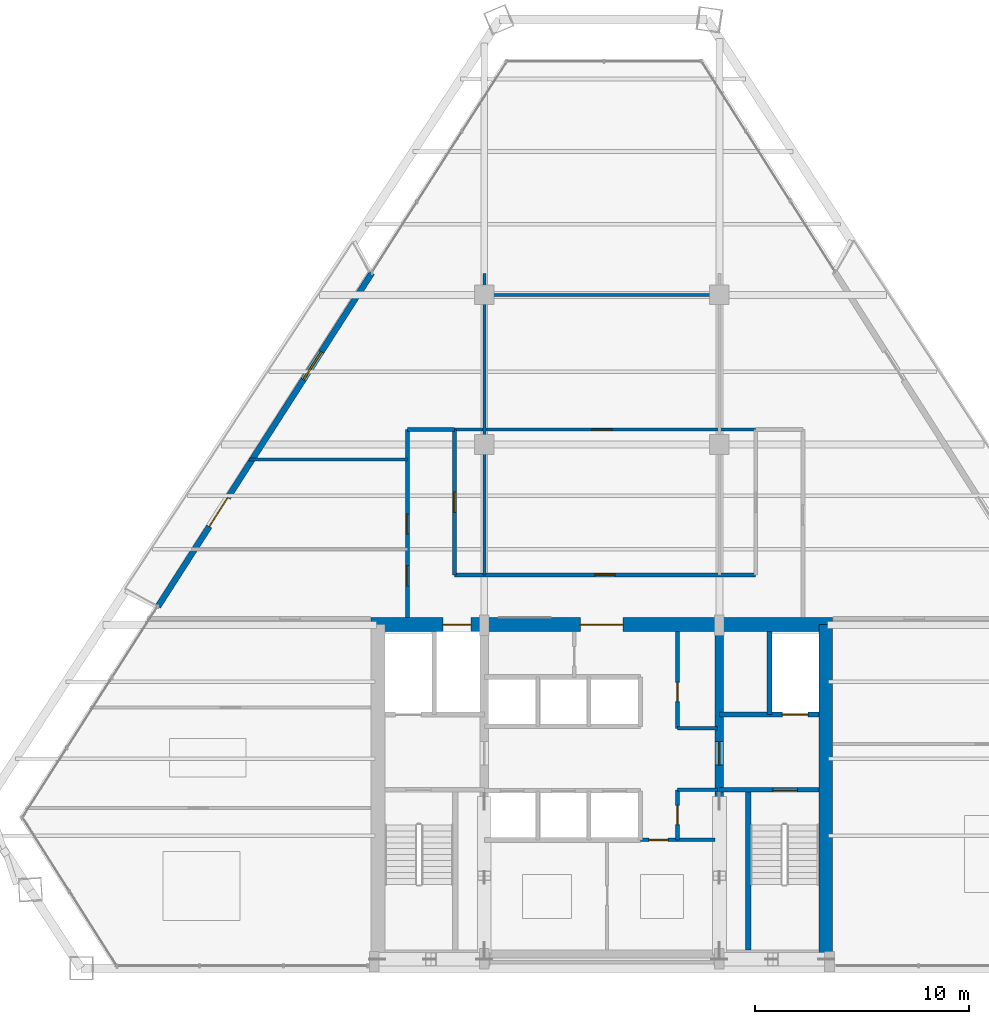
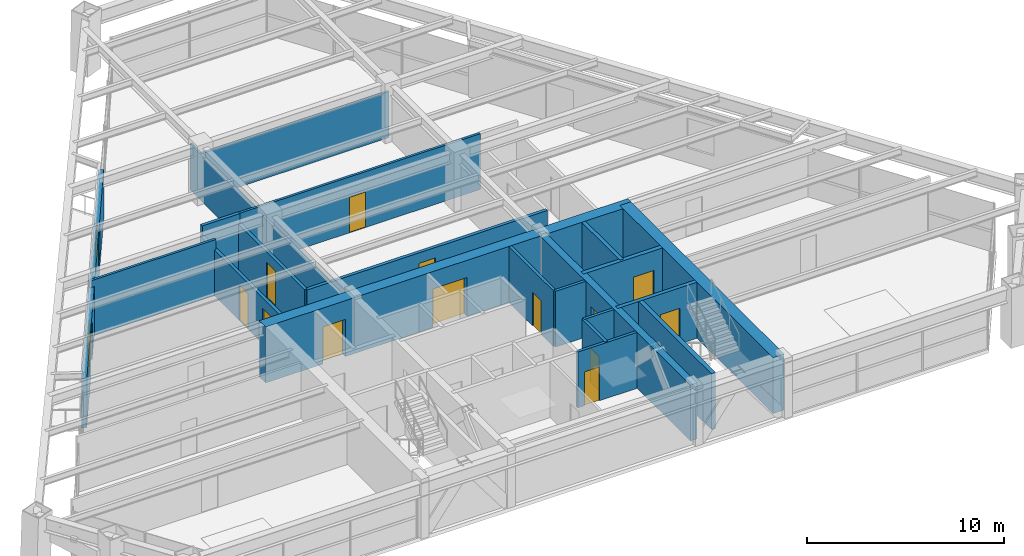
# One storey, part 12 of 15: 21 walls, 14 doors, 1 window, 15 openings.
"""IFC4 building model written with IfcOpenShell, lengths in metres."""

from ifc_helpers import new_model, si_unit, direction, frame, frame_2d, origin, place, context, subcontext, project, spatial, rectangle, extrude, source, transform, mapped, material, layer, layer_set, type_object, type_shapes, element, fill, save


model = new_model("IFC4")

# Units and contexts
model_context = context("Model", 3, precision=1e-05, world=origin(), true_north=direction((0.0, 1.0)))
body_context = subcontext(model_context, "Body", "Model", "MODEL_VIEW")
ifc_project = project(units=[si_unit("LENGTHUNIT", "METRE"), si_unit("AREAUNIT", "SQUARE_METRE"), si_unit("VOLUMEUNIT", "CUBIC_METRE"), si_unit("PLANEANGLEUNIT", "RADIAN"), si_unit("MASSUNIT", "GRAM", prefix="KILO")], contexts=[model_context])

# Site, building, storey
site_placement = place(None, origin())
site = spatial("IfcSite", under=ifc_project, at=site_placement, CompositionType="ELEMENT")
building_placement = place(site_placement, origin())
building = spatial("IfcBuilding", under=site, at=building_placement, Name="Varnakhor Terracotta Tower", CompositionType="ELEMENT")
storey_placement = place(building_placement, frame((0.0, 0.0, 155.199951171875)))
storey = spatial("IfcBuildingStorey", under=building, at=storey_placement, Name="L39", CompositionType="ELEMENT", Elevation=155.199951171875)

# Wall, openings, doors
ifc_material_1 = material(Name="Concrete C50/60", Category="concrete")
ifc_layer_1 = layer(ifc_material_1, 0.64990234375, Name="Concrete C50/60")
ifc_layer_set_1 = layer_set([ifc_layer_1], Name="Concrete C50/60")
wall_type_1 = type_object("IfcWallType", Name="WAL-CORE-650", PredefinedType="SHEAR", material=ifc_layer_set_1)
wall_1_placement = place(storey_placement, frame((-10.800048828125, 16.074951171875, 0.0), z_axis=(0.0, 0.0, 1.0), x_axis=(1.0, 0.0, 0.0)))
wall_1 = element("IfcWall", 1, at=wall_1_placement, inside=storey, type_object=wall_type_1, Name="L39 North Core Shear Wall", PredefinedType="SHEAR", context=body_context, shape_type="SweptSolid", body=[
    extrude(rectangle(XDim=21.60009765625, YDim=0.64990234375, at=frame_2d((10.800048828125, 0.0))), origin(), (0.0, 0.0, 1.0), 3.469970703125),
])
opening_1_placement = place(wall_1_placement, frame((3.3701171875, 0.0, 0.0)))
opening_1 = element("IfcOpeningElement", 2, at=opening_1_placement, cuts=wall_1, Name="Opening LD-03", PredefinedType="OPENING", context=body_context, shape_type="SweptSolid", body=[
    extrude(rectangle(XDim=1.300048828125, YDim=2.300048828125, at=frame_2d((0.64990234375, 1.14990234375))), frame((0.0, 0.3349609375, 0.0), z_axis=(0.0, -1.0, 0.0), x_axis=(1.0, 0.0, 0.0)), (0.0, 0.0, 1.0), 0.669921875),
])
opening_2_placement = place(wall_1_placement, frame((9.800048828125, 0.0, 0.0)))
opening_2 = element("IfcOpeningElement", 3, at=opening_2_placement, cuts=wall_1, Name="Opening DR-32", PredefinedType="OPENING", context=body_context, shape_type="SweptSolid", body=[
    extrude(rectangle(XDim=2.0, YDim=2.39990234375, at=frame_2d((1.0, 1.199951171875))), frame((0.0, 0.3349609375, 0.0), z_axis=(0.0, -1.0, 0.0), x_axis=(1.0, 0.0, 0.0)), (0.0, 0.0, 1.0), 0.669921875),
])
ifc_material_2 = material(Name="Heavy-Duty Goods Sliding Lift Landing Door", Category="steel")
door_type_1 = type_object("IfcDoorType", Name="LD-SRV-1300X2300", OperationType="NOTDEFINED", PredefinedType="DOOR", material=ifc_material_2)
shared_shape_1 = source(origin(), body_context, "Body", "SweptSolid", [
    extrude(rectangle(XDim=1.300048828125, YDim=2.300048828125, at=frame_2d((0.64990234375, 1.14990234375))), frame((0.0, 0.02490234375, 0.0), z_axis=(0.0, -1.0, 0.0), x_axis=(1.0, 0.0, 0.0)), (0.0, 0.0, 1.0), 0.050048828125),
])
type_shapes(door_type_1, [shared_shape_1])
door_1_placement = place(opening_1_placement, origin())
door_1 = element("IfcDoor", 4, at=door_1_placement, inside=storey, type_object=door_type_1, Name="L39 Service Lift SVL-1 Landing Door", OperationType="SLIDING_TO_RIGHT", OverallHeight=2.300048828125, OverallWidth=1.300048828125, PredefinedType="DOOR", context=body_context, shape_type="MappedRepresentation", body=[
    mapped(shared_shape_1, transform((0.0, 0.0, 0.0), scale=1.0)),
])
fill(opening_1, door_1)
ifc_material_3 = material(Name="Acoustic Double Assembly Fire Door", Category="wood")
door_type_2 = type_object("IfcDoorType", Name="DR-HALL-2000X2400", OperationType="NOTDEFINED", PredefinedType="DOOR", material=ifc_material_3)
shared_shape_2 = source(origin(), body_context, "Body", "SweptSolid", [
    extrude(rectangle(XDim=2.0, YDim=2.39990234375, at=frame_2d((1.0, 1.199951171875))), frame((0.0, 0.02490234375, 0.0), z_axis=(0.0, -1.0, 0.0), x_axis=(1.0, 0.0, 0.0)), (0.0, 0.0, 1.0), 0.050048828125),
])
type_shapes(door_type_2, [shared_shape_2])
door_2_placement = place(opening_2_placement, origin())
door_2 = element("IfcDoor", 5, at=door_2_placement, inside=storey, type_object=door_type_2, Name="L39 Core Main Lobby Double Door", OperationType="DOUBLE_DOOR_SINGLE_SWING", OverallHeight=2.39990234375, OverallWidth=2.0, PredefinedType="DOOR", context=body_context, shape_type="MappedRepresentation", body=[
    mapped(shared_shape_2, transform((0.0, 0.0, 0.0), scale=1.0)),
])
fill(opening_2, door_2)

# Wall
wall_2_placement = place(storey_placement, frame((10.47509765625, 0.52490234375, 0.0), z_axis=(0.0, 0.0, 1.0), x_axis=(0.0, 1.0, 0.0)))
element("IfcWall", 6, at=wall_2_placement, inside=storey, type_object=wall_type_1, Name="L39 East Core Shear Wall", PredefinedType="SHEAR", context=body_context, shape_type="SweptSolid", body=[
    extrude(rectangle(XDim=15.550048828125, YDim=0.64990234375, at=frame_2d((7.77490234375, 0.0))), origin(), (0.0, 0.0, 1.0), 3.469970703125),
])

# Wall, opening, door
ifc_layer_2 = layer(ifc_material_1, 0.39990234375, Name="Concrete C50/60")
ifc_layer_set_2 = layer_set([ifc_layer_2], Name="Concrete C50/60")
wall_type_2 = type_object("IfcWallType", Name="WAL-CORE-WEB-400", PredefinedType="SHEAR", material=ifc_layer_set_2)
wall_3_placement = place(storey_placement, frame((5.5, 0.52490234375, 0.0), z_axis=(0.0, 0.0, 1.0), x_axis=(0.0, 1.0, 0.0)))
wall_3 = element("IfcWall", 7, at=wall_3_placement, inside=storey, type_object=wall_type_2, Name="L39 East Core Web Shear Wall", PredefinedType="SHEAR", context=body_context, shape_type="SweptSolid", body=[
    extrude(rectangle(XDim=15.550048828125, YDim=0.39990234375, at=frame_2d((7.77490234375, 0.0))), origin(), (0.0, 0.0, 1.0), 3.469970703125),
])
opening_3_placement = place(wall_3_placement, frame((8.97509765625, 0.0, 0.0)))
opening_3 = element("IfcOpeningElement", 8, at=opening_3_placement, cuts=wall_3, Name="Opening DR-25", PredefinedType="OPENING", context=body_context, shape_type="SweptSolid", body=[
    extrude(rectangle(XDim=1.10009765625, YDim=2.199951171875, at=frame_2d((0.550048828125, 1.10009765625))), frame((0.0, 0.2099609375, 0.0), z_axis=(0.0, -1.0, 0.0), x_axis=(1.0, 0.0, 0.0)), (0.0, 0.0, 1.0), 0.419921875),
])
ifc_material_4 = material(Name="Firefighting Lobby Self-Closing Fire Door", Category="steel")
door_type_3 = type_object("IfcDoorType", Name="DR-FFL-1100X2200", OperationType="NOTDEFINED", PredefinedType="DOOR", material=ifc_material_4)
shared_shape_3 = source(origin(), body_context, "Body", "SweptSolid", [
    extrude(rectangle(XDim=1.10009765625, YDim=2.199951171875, at=frame_2d((0.550048828125, 1.10009765625))), frame((0.0, 0.02490234375, 0.0), z_axis=(0.0, -1.0, 0.0), x_axis=(1.0, 0.0, 0.0)), (0.0, 0.0, 1.0), 0.050048828125),
])
type_shapes(door_type_3, [shared_shape_3])
door_3_placement = place(opening_3_placement, origin())
door_3 = element("IfcDoor", 9, at=door_3_placement, inside=storey, type_object=door_type_3, Name="L39 East Firefighting Lobby Door", OperationType="SINGLE_SWING_LEFT", OverallHeight=2.199951171875, OverallWidth=1.10009765625, PredefinedType="DOOR", context=body_context, shape_type="MappedRepresentation", body=[
    mapped(shared_shape_3, transform((0.0, 0.0, 0.0), scale=1.0)),
])
fill(opening_3, door_3)

ifc_material_5 = material(Name="Fire-Rated Gypsum Stud Partition", Category="gypsum")
ifc_layer_3 = layer(ifc_material_5, 0.18505859375, Name="Fire-Rated Gypsum Stud Partition")
ifc_layer_set_3 = layer_set([ifc_layer_3], Name="Fire-Rated Gypsum Stud Partition")
wall_type_3 = type_object("IfcWallType", Name="WAL-CORR-185", PredefinedType="PARTITIONING", material=ifc_layer_set_3)
wall_4_placement = place(storey_placement, frame((-6.89990234375, 18.39990234375, 0.0), z_axis=(0.0, 0.0, 1.0), x_axis=(1.0, 0.0, 0.0)))
wall_4 = element("IfcWall", 10, at=wall_4_placement, inside=storey, type_object=wall_type_3, Name="L39 Central Gallery Link Wall", PredefinedType="PARTITIONING", context=body_context, shape_type="SweptSolid", body=[
    extrude(rectangle(XDim=14.099853515625, YDim=0.18505859375, at=frame_2d((7.0498046875, 0.0))), origin(), (0.0, 0.0, 1.0), 2.845947265625),
])
opening_4_placement = place(wall_4_placement, frame((6.574951171875, 0.0, 0.0)))
opening_4 = element("IfcOpeningElement", 11, at=opening_4_placement, cuts=wall_4, Name="Opening DR-94", PredefinedType="OPENING", context=body_context, shape_type="SweptSolid", body=[
    extrude(rectangle(XDim=0.949951171875, YDim=2.199951171875, at=frame_2d((0.47509765625, 1.10009765625))), frame((0.0, 0.1025390625, 0.0), z_axis=(0.0, -1.0, 0.0), x_axis=(1.0, 0.0, 0.0)), (0.0, 0.0, 1.0), 0.205078125),
])
ifc_material_6 = material(Name="Acoustic Glazed-Vision Timber Office Door", Category="wood")
door_type_4 = type_object("IfcDoorType", Name="DR-OFF-950X2200", OperationType="NOTDEFINED", PredefinedType="DOOR", material=ifc_material_6)
shared_shape_4 = source(origin(), body_context, "Body", "SweptSolid", [
    extrude(rectangle(XDim=0.949951171875, YDim=2.199951171875, at=frame_2d((0.47509765625, 1.10009765625))), frame((0.0, 0.02490234375, 0.0), z_axis=(0.0, -1.0, 0.0), x_axis=(1.0, 0.0, 0.0)), (0.0, 0.0, 1.0), 0.050048828125),
])
type_shapes(door_type_4, [shared_shape_4])
door_4_placement = place(opening_4_placement, origin())
door_4 = element("IfcDoor", 12, at=door_4_placement, inside=storey, type_object=door_type_4, Name="L39 Center Suite Door", OperationType="SINGLE_SWING_LEFT", OverallHeight=2.199951171875, OverallWidth=0.949951171875, PredefinedType="DOOR", context=body_context, shape_type="MappedRepresentation", body=[
    mapped(shared_shape_4, transform((0.0, 0.0, 0.0), scale=1.0)),
])
fill(opening_4, door_4)

wall_5_placement = place(storey_placement, frame((-6.89990234375, 18.39990234375, 0.0), z_axis=(0.0, 0.0, 1.0), x_axis=(0.0, 1.0, 0.0)))
wall_5 = element("IfcWall", 13, at=wall_5_placement, inside=storey, type_object=wall_type_3, Name="L39 West Gallery Inner Wall", PredefinedType="PARTITIONING", context=body_context, shape_type="SweptSolid", body=[
    extrude(rectangle(XDim=6.800048828125, YDim=0.18505859375, at=frame_2d((3.39990234375, 0.0))), origin(), (0.0, 0.0, 1.0), 2.845947265625),
])
opening_5_placement = place(wall_5_placement, frame((2.925048828125, 0.0, 0.0)))
opening_5 = element("IfcOpeningElement", 14, at=opening_5_placement, cuts=wall_5, Name="Opening DR-94", PredefinedType="OPENING", context=body_context, shape_type="SweptSolid", body=[
    extrude(rectangle(XDim=0.949951171875, YDim=2.199951171875, at=frame_2d((0.47509765625, 1.10009765625))), frame((0.0, 0.1025390625, 0.0), z_axis=(0.0, -1.0, 0.0), x_axis=(1.0, 0.0, 0.0)), (0.0, 0.0, 1.0), 0.205078125),
])
door_5_placement = place(opening_5_placement, origin())
door_5 = element("IfcDoor", 15, at=door_5_placement, inside=storey, type_object=door_type_4, Name="L39 Wellness Lounge 4 B9 Door", OperationType="SINGLE_SWING_RIGHT", OverallHeight=2.199951171875, OverallWidth=0.949951171875, PredefinedType="DOOR", context=body_context, shape_type="MappedRepresentation", body=[
    mapped(shared_shape_4, transform((0.0, 0.0, 0.0), scale=1.0)),
])
fill(opening_5, door_5)

# Wall, openings, doors
wall_6_placement = place(storey_placement, frame((-9.10009765625, 16.39990234375, 0.0), z_axis=(0.0, 0.0, 1.0), x_axis=(0.0, 1.0, 0.0)))
wall_6 = element("IfcWall", 16, at=wall_6_placement, inside=storey, type_object=wall_type_3, Name="L39 West Gallery Outer Wall", PredefinedType="PARTITIONING", context=body_context, shape_type="SweptSolid", body=[
    extrude(rectangle(XDim=8.800048828125, YDim=0.18505859375, at=frame_2d((4.39990234375, 0.0))), origin(), (0.0, 0.0, 1.0), 2.845947265625),
])
opening_6_placement = place(wall_6_placement, frame((3.902587890625, 0.0, 0.0)))
opening_6 = element("IfcOpeningElement", 17, at=opening_6_placement, cuts=wall_6, Name="Opening DR-94", PredefinedType="OPENING", context=body_context, shape_type="SweptSolid", body=[
    extrude(rectangle(XDim=0.949951171875, YDim=2.199951171875, at=frame_2d((0.47509765625, 1.10009765625))), frame((0.0, 0.1025390625, 0.0), z_axis=(0.0, -1.0, 0.0), x_axis=(1.0, 0.0, 0.0)), (0.0, 0.0, 1.0), 0.205078125),
])
opening_7_placement = place(wall_6_placement, frame((1.4873046875, 0.0, 0.0)))
opening_7 = element("IfcOpeningElement", 18, at=opening_7_placement, cuts=wall_6, Name="Opening DR-94", PredefinedType="OPENING", context=body_context, shape_type="SweptSolid", body=[
    extrude(rectangle(XDim=0.949951171875, YDim=2.199951171875, at=frame_2d((0.47509765625, 1.10009765625))), frame((0.0, 0.1025390625, 0.0), z_axis=(0.0, -1.0, 0.0), x_axis=(1.0, 0.0, 0.0)), (0.0, 0.0, 1.0), 0.205078125),
])
door_6_placement = place(opening_6_placement, origin())
door_6 = element("IfcDoor", 19, at=door_6_placement, inside=storey, type_object=door_type_4, Name="L39 West Wing Door", OperationType="SINGLE_SWING_RIGHT", OverallHeight=2.199951171875, OverallWidth=0.949951171875, PredefinedType="DOOR", context=body_context, shape_type="MappedRepresentation", body=[
    mapped(shared_shape_4, transform((0.0, 0.0, 0.0), scale=1.0)),
])
fill(opening_6, door_6)
door_7_placement = place(opening_7_placement, origin())
door_7 = element("IfcDoor", 20, at=door_7_placement, inside=storey, type_object=door_type_4, Name="L39 Staff Dining Kitchen 1 Door", OperationType="SINGLE_SWING_LEFT", OverallHeight=2.199951171875, OverallWidth=0.949951171875, PredefinedType="DOOR", context=body_context, shape_type="MappedRepresentation", body=[
    mapped(shared_shape_4, transform((0.0, 0.0, 0.0), scale=1.0)),
])
fill(opening_7, door_7)

# Wall
wall_7_placement = place(storey_placement, frame((-9.10009765625, 25.199951171875, 0.0), z_axis=(0.0, 0.0, 1.0), x_axis=(1.0, 0.0, 0.0)))
element("IfcWall", 21, at=wall_7_placement, inside=storey, type_object=wall_type_3, Name="L39 West Gallery North End", PredefinedType="PARTITIONING", context=body_context, shape_type="SweptSolid", body=[
    extrude(rectangle(XDim=2.2001953125, YDim=0.18505859375, at=frame_2d((1.10009765625, 0.0))), origin(), (0.0, 0.0, 1.0), 3.462158203125),
])

# Wall, openings, door, window
ifc_material_7 = material(Name="Extruded Architectural Terracotta Assembly", Category="masonry")
ifc_layer_4 = layer(ifc_material_7, 0.280029296875, Name="Extruded Architectural Terracotta Assembly")
ifc_layer_set_4 = layer_set([ifc_layer_4], Name="Extruded Architectural Terracotta Assembly")
wall_type_4 = type_object("IfcWallType", Name="WAL-EXT-TERRACOTTA-280", PredefinedType="SOLIDWALL", material=ifc_layer_set_4)
wall_8_placement = place(storey_placement, frame((-20.763427734375, 16.9189453125, 0.0), z_axis=(0.0, 0.0, 1.0), x_axis=(0.539754896406, 0.841822221022, 0.0)))
wall_8 = element("IfcWall", 22, at=wall_8_placement, inside=storey, type_object=wall_type_4, Name="L39 W Loggia Insulated Terracotta Wall", PredefinedType="SOLIDWALL", context=body_context, shape_type="SweptSolid", body=[
    extrude(rectangle(XDim=18.5400390625, YDim=0.280029296875, at=frame_2d((9.27001953125, 0.0))), origin(), (0.0, 0.0, 1.0), 3.050048828125),
])
opening_8_placement = place(wall_8_placement, frame((4.44970703125, 0.0, 0.0)))
opening_8 = element("IfcOpeningElement", 23, at=opening_8_placement, cuts=wall_8, Name="Opening DR-62", PredefinedType="OPENING", context=body_context, shape_type="SweptSolid", body=[
    extrude(rectangle(XDim=1.60009765625, YDim=2.35009765625, at=frame_2d((0.800048828125, 1.175048828125))), frame((0.0, 0.14990234375, 0.0), z_axis=(0.0, -1.0, 0.0), x_axis=(1.0, 0.0, 0.0)), (0.0, 0.0, 1.0), 0.300048828125),
])
opening_9_placement = place(wall_8_placement, frame((12.607421875, 0.0, 0.89990234375)))
opening_9 = element("IfcOpeningElement", 24, at=opening_9_placement, cuts=wall_8, Name="Opening WN-57", PredefinedType="OPENING", context=body_context, shape_type="SweptSolid", body=[
    extrude(rectangle(XDim=1.550048828125, YDim=1.85009765625, at=frame_2d((0.77490234375, 0.925048828125))), frame((0.0, 0.14990234375, 0.0), z_axis=(0.0, -1.0, 0.0), x_axis=(1.0, 0.0, 0.0)), (0.0, 0.0, 1.0), 0.300048828125),
])
ifc_material_8 = material(Name="Thermally Broken Sliding Glass Loggia Door", Category="glass")
door_type_5 = type_object("IfcDoorType", Name="DR-EXT-LOGGIA-1600X2350", OperationType="NOTDEFINED", PredefinedType="DOOR", material=ifc_material_8)
shared_shape_5 = source(origin(), body_context, "Body", "SweptSolid", [
    extrude(rectangle(XDim=1.60009765625, YDim=2.35009765625, at=frame_2d((0.800048828125, 1.175048828125))), frame((0.0, 0.02490234375, 0.0), z_axis=(0.0, -1.0, 0.0), x_axis=(1.0, 0.0, 0.0)), (0.0, 0.0, 1.0), 0.050048828125),
])
type_shapes(door_type_5, [shared_shape_5])
door_8_placement = place(opening_8_placement, origin())
door_8 = element("IfcDoor", 25, at=door_8_placement, inside=storey, type_object=door_type_5, Name="L39 W Recessed Loggia Sliding Door", OperationType="SLIDING_TO_LEFT", OverallHeight=2.35009765625, OverallWidth=1.60009765625, PredefinedType="DOOR", context=body_context, shape_type="MappedRepresentation", body=[
    mapped(shared_shape_5, transform((0.0, 0.0, 0.0), scale=1.0)),
])
fill(opening_8, door_8)
ifc_material_9 = material(Name="Solar-Control Low-E Insulated Glass Unit", Category="glass")
window_type = type_object("IfcWindowType", Name="WIN-OFF-1650X2100", PartitioningType="SINGLE_PANEL", PredefinedType="WINDOW", material=ifc_material_9)
shared_shape_6 = source(origin(), body_context, "Body", "SweptSolid", [
    extrude(rectangle(XDim=1.550048828125, YDim=1.85009765625, at=frame_2d((0.77490234375, 0.925048828125))), frame((0.0, 0.030029296875, 0.0), z_axis=(0.0, -1.0, 0.0), x_axis=(1.0, 0.0, 0.0)), (0.0, 0.0, 1.0), 0.06005859375),
])
type_shapes(window_type, [shared_shape_6])
window_placement = place(opening_9_placement, origin())
window = element("IfcWindow", 26, at=window_placement, inside=storey, type_object=window_type, Name="L39 W Facet Punched Window", OverallHeight=1.85009765625, OverallWidth=1.550048828125, PartitioningType="SINGLE_PANEL", PredefinedType="WINDOW", context=body_context, shape_type="MappedRepresentation", body=[
    mapped(shared_shape_6, transform((0.0, 0.0, 0.0), scale=1.0)),
])
fill(opening_9, window)

# Wall, opening, door
ifc_material_10 = material(Name="Concrete C40/50", Category="concrete")
ifc_layer_5 = layer(ifc_material_10, 0.219970703125, Name="Concrete C40/50")
ifc_layer_set_5 = layer_set([ifc_layer_5], Name="Concrete C40/50")
wall_type_5 = type_object("IfcWallType", Name="WAL-FFLOBBY-220", PredefinedType="SOLIDWALL", material=ifc_layer_set_5)
wall_9_placement = place(storey_placement, frame((10.14990234375, 8.35009765625, 0.0), z_axis=(0.0, 0.0, 1.0), x_axis=(-1.0, 0.0, 0.0)))
wall_9 = element("IfcWall", 27, at=wall_9_placement, inside=storey, type_object=wall_type_5, Name="L39 East Firefighting Lobby Stair Wall", PredefinedType="SOLIDWALL", context=body_context, shape_type="SweptSolid", body=[
    extrude(rectangle(XDim=4.64990234375, YDim=0.219970703125, at=frame_2d((2.324951171875, 0.0))), origin(), (0.0, 0.0, 1.0), 3.469970703125),
])
opening_10_placement = place(wall_9_placement, frame((1.0, 0.0, 0.0)))
opening_10 = element("IfcOpeningElement", 28, at=opening_10_placement, cuts=wall_9, Name="Opening DR-34", PredefinedType="OPENING", context=body_context, shape_type="SweptSolid", body=[
    extrude(rectangle(XDim=1.14990234375, YDim=2.199951171875, at=frame_2d((0.574951171875, 1.10009765625))), frame((0.0, 0.1201171875, 0.0), z_axis=(0.0, -1.0, 0.0), x_axis=(1.0, 0.0, 0.0)), (0.0, 0.0, 1.0), 0.239990234375),
])
ifc_material_11 = material(Name="Self-Closing Smoke-Sealed Steel Fire Door", Category="steel")
door_type_6 = type_object("IfcDoorType", Name="DR-STAIR-1150X2200", OperationType="NOTDEFINED", PredefinedType="DOOR", material=ifc_material_11)
shared_shape_7 = source(origin(), body_context, "Body", "SweptSolid", [
    extrude(rectangle(XDim=1.14990234375, YDim=2.199951171875, at=frame_2d((0.574951171875, 1.10009765625))), frame((0.0, 0.02490234375, 0.0), z_axis=(0.0, -1.0, 0.0), x_axis=(1.0, 0.0, 0.0)), (0.0, 0.0, 1.0), 0.050048828125),
])
type_shapes(door_type_6, [shared_shape_7])
door_9_placement = place(opening_10_placement, origin())
door_9 = element("IfcDoor", 29, at=door_9_placement, inside=storey, type_object=door_type_6, Name="L39 Exit Stair ST-2 Fire Door", OperationType="SINGLE_SWING_RIGHT", OverallHeight=2.199951171875, OverallWidth=1.14990234375, PredefinedType="DOOR", context=body_context, shape_type="MappedRepresentation", body=[
    mapped(shared_shape_7, transform((0.0, 0.0, 0.0), scale=1.0)),
])
fill(opening_10, door_9)

ifc_material_12 = material(Name="Acoustic Metal-Stud Partition", Category="gypsum")
ifc_layer_6 = layer(ifc_material_12, 0.139892578125, Name="Acoustic Metal-Stud Partition")
ifc_layer_set_6 = layer_set([ifc_layer_6], Name="Acoustic Metal-Stud Partition")
wall_type_6 = type_object("IfcWallType", Name="WAL-PART-140", PredefinedType="PARTITIONING", material=ifc_layer_set_6)
wall_10_placement = place(storey_placement, frame((-6.89990234375, 25.199951171875, 0.0), z_axis=(0.0, 0.0, 1.0), x_axis=(1.0, 0.0, 0.0)))
wall_10 = element("IfcWall", 30, at=wall_10_placement, inside=storey, type_object=wall_type_6, Name="L39 Gallery Center Cap Wall", PredefinedType="PARTITIONING", context=body_context, shape_type="SweptSolid", body=[
    extrude(rectangle(XDim=14.099853515625, YDim=0.139892578125, at=frame_2d((7.0498046875, 0.0))), origin(), (0.0, 0.0, 1.0), 3.462158203125),
])
opening_11_placement = place(wall_10_placement, frame((6.43212890625, 0.0, 0.0)))
opening_11 = element("IfcOpeningElement", 31, at=opening_11_placement, cuts=wall_10, Name="Opening DR-94", PredefinedType="OPENING", context=body_context, shape_type="SweptSolid", body=[
    extrude(rectangle(XDim=0.949951171875, YDim=2.199951171875, at=frame_2d((0.47509765625, 1.10009765625))), frame((0.0, 0.080078125, 0.0), z_axis=(0.0, -1.0, 0.0), x_axis=(1.0, 0.0, 0.0)), (0.0, 0.0, 1.0), 0.159912109375),
])
door_10_placement = place(opening_11_placement, origin())
door_10 = element("IfcDoor", 32, at=door_10_placement, inside=storey, type_object=door_type_4, Name="L39 Reading Lounge 3 Door", OperationType="SINGLE_SWING_RIGHT", OverallHeight=2.199951171875, OverallWidth=0.949951171875, PredefinedType="DOOR", context=body_context, shape_type="MappedRepresentation", body=[
    mapped(shared_shape_4, transform((0.0, 0.0, 0.0), scale=1.0)),
])
fill(opening_11, door_10)

# Walls
wall_11_placement = place(storey_placement, frame((-5.5, 18.39990234375, 0.0), z_axis=(0.0, 0.0, 1.0), x_axis=(0.0, 1.0, 0.0)))
element("IfcWall", 33, at=wall_11_placement, inside=storey, type_object=wall_type_6, Name="L39 Center West Column Wall", PredefinedType="PARTITIONING", context=body_context, shape_type="SweptSolid", body=[
    extrude(rectangle(XDim=14.10009765625, YDim=0.139892578125, at=frame_2d((7.050048828125, 0.0))), origin(), (0.0, 0.0, 1.0), 2.845947265625),
])
wall_12_placement = place(storey_placement, frame((-5.5, 31.5, 0.0), z_axis=(0.0, 0.0, 1.0), x_axis=(1.0, 0.0, 0.0)))
element("IfcWall", 34, at=wall_12_placement, inside=storey, type_object=wall_type_6, Name="L39 Center Cross Cut 1", PredefinedType="PARTITIONING", context=body_context, shape_type="SweptSolid", body=[
    extrude(rectangle(XDim=11.0, YDim=0.139892578125, at=frame_2d((5.5, 0.0))), origin(), (0.0, 0.0, 1.0), 2.845947265625),
])
wall_13_placement = place(storey_placement, frame((-16.506103515625, 23.800048828125, 0.0), z_axis=(0.0, 0.0, 1.0), x_axis=(1.0, 0.0, 0.0)))
element("IfcWall", 35, at=wall_13_placement, inside=storey, type_object=wall_type_6, Name="L39 West Wing Cut 4", PredefinedType="PARTITIONING", context=body_context, shape_type="SweptSolid", body=[
    extrude(rectangle(XDim=7.406005859375, YDim=0.139892578125, at=frame_2d((3.703125, 0.0))), origin(), (0.0, 0.0, 1.0), 3.462158203125),
])
ifc_layer_7 = layer(ifc_material_10, 0.219970703125, Name="Concrete C40/50")
ifc_layer_set_7 = layer_set([ifc_layer_7], Name="Concrete C40/50")
wall_type_7 = type_object("IfcWallType", Name="WAL-SHAFT-220", PredefinedType="SOLIDWALL", material=ifc_layer_set_7)
wall_14_placement = place(storey_placement, frame((7.840087890625, 11.8701171875, 0.0), z_axis=(0.0, 0.0, 1.0), x_axis=(0.0, 1.0, 0.0)))
element("IfcWall", 36, at=wall_14_placement, inside=storey, type_object=wall_type_7, Name="L39 Lift FFL-2 and Riser Divider Wall", PredefinedType="SOLIDWALL", context=body_context, shape_type="SweptSolid", body=[
    extrude(rectangle(XDim=3.8798828125, YDim=0.219970703125, at=frame_2d((1.93994140625, 0.0))), origin(), (0.0, 0.0, 1.0), 3.469970703125),
])
ifc_layer_8 = layer(ifc_material_10, 0.25, Name="Concrete C40/50")
ifc_layer_set_8 = layer_set([ifc_layer_8], Name="Concrete C40/50")
wall_type_8 = type_object("IfcWallType", Name="WAL-SHAFT-250", PredefinedType="SOLIDWALL", material=ifc_layer_set_8)
wall_15_placement = place(storey_placement, frame((6.85009765625, 0.85009765625, 0.0), z_axis=(0.0, 0.0, 1.0), x_axis=(0.0, 1.0, 0.0)))
element("IfcWall", 37, at=wall_15_placement, inside=storey, type_object=wall_type_8, Name="L39 Stair ST-2 Bearing Shaft Wall", PredefinedType="SOLIDWALL", context=body_context, shape_type="SweptSolid", body=[
    extrude(rectangle(XDim=7.5, YDim=0.25, at=frame_2d((3.75, 0.0))), origin(), (0.0, 0.0, 1.0), 3.469970703125),
])

# Wall, opening, door
wall_16_placement = place(storey_placement, frame((10.14990234375, 11.8701171875, 0.0), z_axis=(0.0, 0.0, 1.0), x_axis=(-1.0, 0.0, 0.0)))
wall_16 = element("IfcWall", 38, at=wall_16_placement, inside=storey, type_object=wall_type_8, Name="L39 Lift FFL-2 Shaft Front Wall", PredefinedType="SOLIDWALL", context=body_context, shape_type="SweptSolid", body=[
    extrude(rectangle(XDim=4.64990234375, YDim=0.25, at=frame_2d((2.324951171875, 0.0))), origin(), (0.0, 0.0, 1.0), 3.469970703125),
])
opening_12_placement = place(wall_16_placement, frame((0.5, 0.0, 0.0)))
opening_12 = element("IfcOpeningElement", 39, at=opening_12_placement, cuts=wall_16, Name="Opening LD-02", PredefinedType="OPENING", context=body_context, shape_type="SweptSolid", body=[
    extrude(rectangle(XDim=1.199951171875, YDim=2.25, at=frame_2d((0.60009765625, 1.125))), frame((0.0, 0.135009765625, 0.0), z_axis=(0.0, -1.0, 0.0), x_axis=(1.0, 0.0, 0.0)), (0.0, 0.0, 1.0), 0.27001953125),
])
ifc_material_13 = material(Name="Firefighting Stretcher Sliding Lift Landing Door", Category="steel")
door_type_7 = type_object("IfcDoorType", Name="LD-FFL-1200X2250", OperationType="NOTDEFINED", PredefinedType="DOOR", material=ifc_material_13)
shared_shape_8 = source(origin(), body_context, "Body", "SweptSolid", [
    extrude(rectangle(XDim=1.199951171875, YDim=2.25, at=frame_2d((0.60009765625, 1.125))), frame((0.0, 0.02490234375, 0.0), z_axis=(0.0, -1.0, 0.0), x_axis=(1.0, 0.0, 0.0)), (0.0, 0.0, 1.0), 0.050048828125),
])
type_shapes(door_type_7, [shared_shape_8])
door_11_placement = place(opening_12_placement, origin())
door_11 = element("IfcDoor", 40, at=door_11_placement, inside=storey, type_object=door_type_7, Name="L39 Firefighting Lift FFL-2 Landing Door", OperationType="SLIDING_TO_RIGHT", OverallHeight=2.25, OverallWidth=1.199951171875, PredefinedType="DOOR", context=body_context, shape_type="MappedRepresentation", body=[
    mapped(shared_shape_8, transform((0.0, 0.0, 0.0), scale=1.0)),
])
fill(opening_12, door_11)

ifc_material_14 = material(Name="Acoustic Fire-Rated Partition", Category="gypsum")
ifc_layer_9 = layer(ifc_material_14, 0.1650390625, Name="Acoustic Fire-Rated Partition")
ifc_layer_set_9 = layer_set([ifc_layer_9], Name="Acoustic Fire-Rated Partition")
wall_type_9 = type_object("IfcWallType", Name="WAL-TENANCY-165", PredefinedType="PARTITIONING", material=ifc_layer_set_9)
wall_17_placement = place(storey_placement, frame((1.820068359375, 6.0, 0.0), z_axis=(0.0, 0.0, 1.0), x_axis=(1.0, 0.0, 0.0)))
wall_17 = element("IfcWall", 41, at=wall_17_placement, inside=storey, type_object=wall_type_9, Name="L39 Reclaimed Core Bay North Rated Wall", PredefinedType="PARTITIONING", context=body_context, shape_type="SweptSolid", body=[
    extrude(rectangle(XDim=3.47998046875, YDim=0.1650390625, at=frame_2d((1.739990234375, 0.0))), origin(), (0.0, 0.0, 1.0), 3.462158203125),
])
opening_13_placement = place(wall_17_placement, frame((0.3798828125, 0.0, 0.0)))
opening_13 = element("IfcOpeningElement", 42, at=opening_13_placement, cuts=wall_17, Name="Opening DR-67", PredefinedType="OPENING", context=body_context, shape_type="SweptSolid", body=[
    extrude(rectangle(XDim=0.89990234375, YDim=2.10009765625, at=frame_2d((0.449951171875, 1.050048828125))), frame((0.0, 0.092529296875, 0.0), z_axis=(0.0, -1.0, 0.0), x_axis=(1.0, 0.0, 0.0)), (0.0, 0.0, 1.0), 0.18505859375),
])
ifc_material_15 = material(Name="Steel Service Riser Fire Door", Category="steel")
door_type_8 = type_object("IfcDoorType", Name="DR-RISER-900X2100", OperationType="NOTDEFINED", PredefinedType="DOOR", material=ifc_material_15)
shared_shape_9 = source(origin(), body_context, "Body", "SweptSolid", [
    extrude(rectangle(XDim=0.89990234375, YDim=2.10009765625, at=frame_2d((0.449951171875, 1.050048828125))), frame((0.0, 0.02490234375, 0.0), z_axis=(0.0, -1.0, 0.0), x_axis=(1.0, 0.0, 0.0)), (0.0, 0.0, 1.0), 0.050048828125),
])
type_shapes(door_type_8, [shared_shape_9])
door_12_placement = place(opening_13_placement, origin())
door_12 = element("IfcDoor", 43, at=door_12_placement, inside=storey, type_object=door_type_8, Name="L39 Core Reclaimed Suite Door", OperationType="SINGLE_SWING_RIGHT", OverallHeight=2.10009765625, OverallWidth=0.89990234375, PredefinedType="DOOR", context=body_context, shape_type="MappedRepresentation", body=[
    mapped(shared_shape_9, transform((0.0, 0.0, 0.0), scale=1.0)),
])
fill(opening_13, door_12)

wall_18_placement = place(storey_placement, frame((3.5400390625, 6.0, 0.0), z_axis=(0.0, 0.0, 1.0), x_axis=(0.0, 1.0, 0.0)))
wall_18 = element("IfcWall", 44, at=wall_18_placement, inside=storey, type_object=wall_type_9, Name="L39 Accessible WC Rated Wall", PredefinedType="PARTITIONING", context=body_context, shape_type="SweptSolid", body=[
    extrude(rectangle(XDim=2.340087890625, YDim=0.1650390625, at=frame_2d((1.169921875, 0.0))), origin(), (0.0, 0.0, 1.0), 3.462158203125),
])
opening_14_placement = place(wall_18_placement, frame((0.719970703125, 0.0, 0.0)))
opening_14 = element("IfcOpeningElement", 45, at=opening_14_placement, cuts=wall_18, Name="Opening DR-67", PredefinedType="OPENING", context=body_context, shape_type="SweptSolid", body=[
    extrude(rectangle(XDim=0.89990234375, YDim=2.10009765625, at=frame_2d((0.449951171875, 1.050048828125))), frame((0.0, 0.092529296875, 0.0), z_axis=(0.0, -1.0, 0.0), x_axis=(1.0, 0.0, 0.0)), (0.0, 0.0, 1.0), 0.18505859375),
])
door_13_placement = place(opening_14_placement, origin())
door_13 = element("IfcDoor", 46, at=door_13_placement, inside=storey, type_object=door_type_8, Name="L39 Accessible WC Door", OperationType="SINGLE_SWING_RIGHT", OverallHeight=2.10009765625, OverallWidth=0.89990234375, PredefinedType="DOOR", context=body_context, shape_type="MappedRepresentation", body=[
    mapped(shared_shape_9, transform((0.0, 0.0, 0.0), scale=1.0)),
])
fill(opening_14, door_13)

# Wall
wall_19_placement = place(storey_placement, frame((3.5400390625, 8.340087890625, 0.0), z_axis=(0.0, 0.0, 1.0), x_axis=(1.0, 0.0, 0.0)))
element("IfcWall", 47, at=wall_19_placement, inside=storey, type_object=wall_type_9, Name="L39 Accessible WC North Wall", PredefinedType="PARTITIONING", context=body_context, shape_type="SweptSolid", body=[
    extrude(rectangle(XDim=1.8798828125, YDim=0.1650390625, at=frame_2d((0.93994140625, 0.0))), origin(), (0.0, 0.0, 1.0), 3.462158203125),
])

# Wall, opening, door
wall_20_placement = place(storey_placement, frame((3.5400390625, 11.219970703125, 0.0), z_axis=(0.0, 0.0, 1.0), x_axis=(0.0, 1.0, 0.0)))
wall_20 = element("IfcWall", 48, at=wall_20_placement, inside=storey, type_object=wall_type_9, Name="L39 Restroom Corridor Wall", PredefinedType="PARTITIONING", context=body_context, shape_type="SweptSolid", body=[
    extrude(rectangle(XDim=4.530029296875, YDim=0.1650390625, at=frame_2d((2.26513671875, 0.0))), origin(), (0.0, 0.0, 1.0), 3.462158203125),
])
opening_15_placement = place(wall_20_placement, frame((1.25, 0.0, 0.0)))
opening_15 = element("IfcOpeningElement", 49, at=opening_15_placement, cuts=wall_20, Name="Opening DR-67", PredefinedType="OPENING", context=body_context, shape_type="SweptSolid", body=[
    extrude(rectangle(XDim=0.89990234375, YDim=2.10009765625, at=frame_2d((0.449951171875, 1.050048828125))), frame((0.0, 0.092529296875, 0.0), z_axis=(0.0, -1.0, 0.0), x_axis=(1.0, 0.0, 0.0)), (0.0, 0.0, 1.0), 0.18505859375),
])
door_14_placement = place(opening_15_placement, origin())
door_14 = element("IfcDoor", 50, at=door_14_placement, inside=storey, type_object=door_type_8, Name="L39 Female WC Door", OperationType="SINGLE_SWING_RIGHT", OverallHeight=2.10009765625, OverallWidth=0.89990234375, PredefinedType="DOOR", context=body_context, shape_type="MappedRepresentation", body=[
    mapped(shared_shape_9, transform((0.0, 0.0, 0.0), scale=1.0)),
])
fill(opening_15, door_14)

# Wall
wall_21_placement = place(storey_placement, frame((3.5400390625, 11.219970703125, 0.0), z_axis=(0.0, 0.0, 1.0), x_axis=(1.0, 0.0, 0.0)))
element("IfcWall", 51, at=wall_21_placement, inside=storey, type_object=wall_type_9, Name="L39 Restroom South Wall", PredefinedType="PARTITIONING", context=body_context, shape_type="SweptSolid", body=[
    extrude(rectangle(XDim=1.8798828125, YDim=0.1650390625, at=frame_2d((0.93994140625, 0.0))), origin(), (0.0, 0.0, 1.0), 3.462158203125),
])

save(model, "model.ifc")
